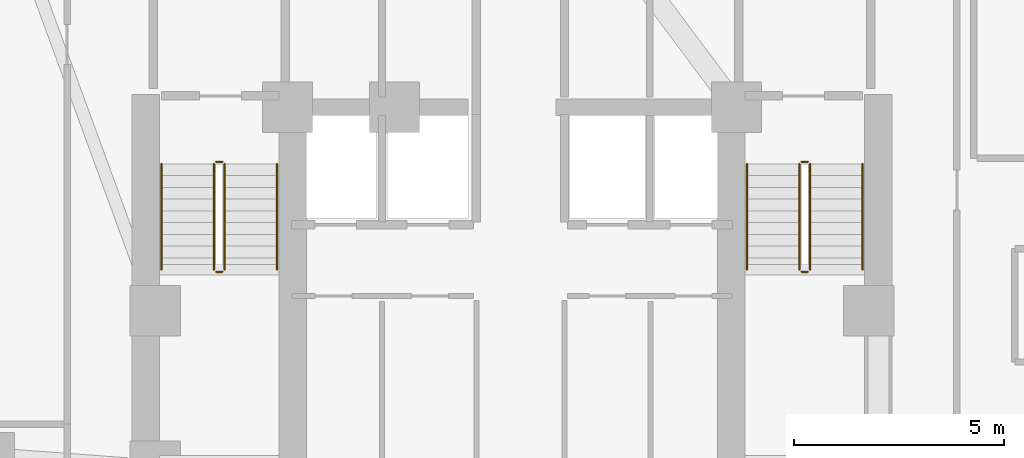
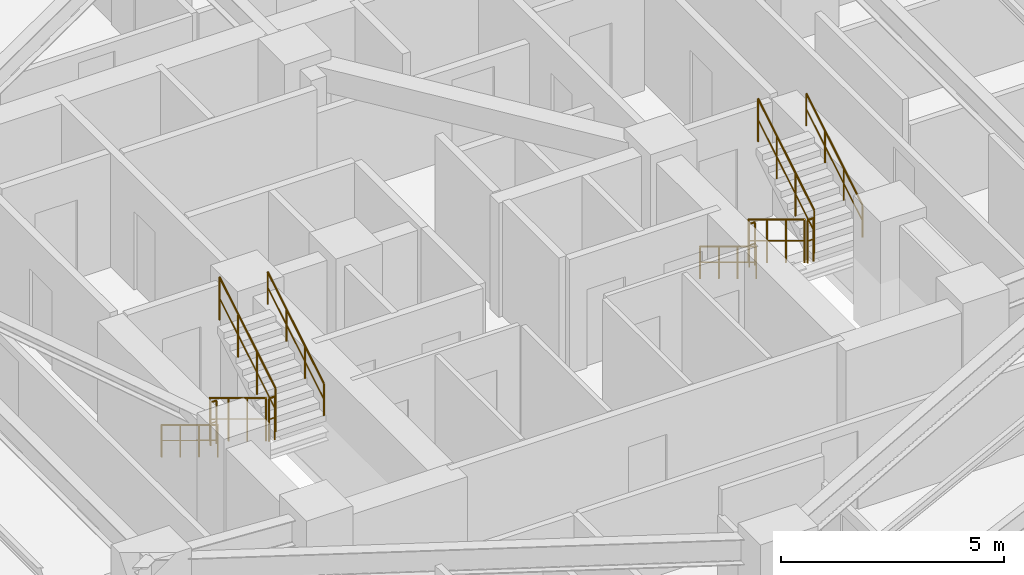
# One storey, part 13 of 13: 12 railings.
"""IFC4 building model written with IfcOpenShell, lengths in metres."""

from ifc_helpers import new_model, si_unit, direction, frame, origin, origin_2d, place, context, subcontext, project, spatial, circle, extrude, material, type_object, element, save


model = new_model("IFC4")

# Units and contexts
model_context = context("Model", 3, precision=1e-05, world=origin(), true_north=direction((0.0, 1.0)))
body_context = subcontext(model_context, "Body", "Model", "MODEL_VIEW")
ifc_project = project(units=[si_unit("LENGTHUNIT", "METRE"), si_unit("AREAUNIT", "SQUARE_METRE"), si_unit("VOLUMEUNIT", "CUBIC_METRE"), si_unit("PLANEANGLEUNIT", "RADIAN"), si_unit("MASSUNIT", "GRAM", prefix="KILO")], contexts=[model_context])

# Site, building, storey
site_placement = place(None, origin())
site = spatial("IfcSite", under=ifc_project, at=site_placement, CompositionType="ELEMENT")
building_placement = place(site_placement, origin())
building = spatial("IfcBuilding", under=site, at=building_placement, Name="Miruveldt Soraemaru", CompositionType="ELEMENT")
storey_placement = place(building_placement, frame((0.0, 0.0, 46.199951171875)))
storey = spatial("IfcBuildingStorey", under=building, at=storey_placement, Name="L12", CompositionType="ELEMENT", Elevation=46.199951171875)

# Railings
ifc_material = material(Name="Steel S355 (355 MPa)", Category="steel")
railing_type_1 = type_object("IfcRailingType", Name="RAIL-HR-900", PredefinedType="HANDRAIL", material=ifc_material)
railing_1_placement = place(storey_placement, frame((35.64990234375, 42.699951171875, 0.170166015625)))
element("IfcRailing", 1, at=railing_1_placement, inside=storey, type_object=railing_type_1, Name="L12 ST-1 stair handrail 1", PredefinedType="HANDRAIL", context=body_context, shape_type="SweptSolid", body=[
    extrude(circle(Radius=0.02392578125, at=origin_2d()), frame((0.0, 0.0, 0.8759765625), z_axis=(0.0, -0.854821627497, 0.518921945155), x_axis=(1.0, 0.0, 0.0)), (0.0, 0.0, 1.0), 2.947998046875),
    extrude(circle(Radius=0.01611328125, at=origin_2d()), frame((0.0, 0.0, 0.449951171875), z_axis=(0.0, -0.854821627497, 0.518921945155), x_axis=(1.0, 0.0, 0.0)), (0.0, 0.0, 1.0), 2.947998046875),
    extrude(circle(Radius=0.02099609375, at=origin_2d()), origin(), (0.0, 0.0, 1.0), 0.851806640625),
    extrude(circle(Radius=0.02099609375, at=origin_2d()), frame((0.0, -0.840087890625, 0.510009765625)), (0.0, 0.0, 1.0), 0.851806640625),
    extrude(circle(Radius=0.02099609375, at=origin_2d()), frame((0.0, -1.679931640625, 1.019775390625)), (0.0, 0.0, 1.0), 0.851806640625),
    extrude(circle(Radius=0.02099609375, at=origin_2d()), frame((0.0, -2.52001953125, 1.52978515625)), (0.0, 0.0, 1.0), 0.851806640625),
])
railing_2_placement = place(storey_placement, frame((38.39990234375, 40.179931640625, 1.8701171875)))
element("IfcRailing", 2, at=railing_2_placement, inside=storey, type_object=railing_type_1, Name="L12 ST-1 stair handrail 2", PredefinedType="HANDRAIL", context=body_context, shape_type="SweptSolid", body=[
    extrude(circle(Radius=0.02392578125, at=origin_2d()), frame((0.0, 0.0, 0.8759765625), z_axis=(0.0, 0.85478489116, 0.518982456201), x_axis=(-1.0, 0.0, 0.0)), (0.0, 0.0, 1.0), 2.9482421875),
    extrude(circle(Radius=0.01611328125, at=origin_2d()), frame((0.0, 0.0, 0.449951171875), z_axis=(0.0, 0.85478489116, 0.518982456201), x_axis=(-1.0, 0.0, 0.0)), (0.0, 0.0, 1.0), 2.9482421875),
    extrude(circle(Radius=0.02099609375, at=origin_2d()), origin(), (0.0, 0.0, 1.0), 0.851806640625),
    extrude(circle(Radius=0.02099609375, at=origin_2d()), frame((0.0, 0.840087890625, 0.510009765625)), (0.0, 0.0, 1.0), 0.851806640625),
    extrude(circle(Radius=0.02099609375, at=origin_2d()), frame((0.0, 1.679931640625, 1.02001953125)), (0.0, 0.0, 1.0), 0.851806640625),
    extrude(circle(Radius=0.02099609375, at=origin_2d()), frame((0.0, 2.52001953125, 1.530029296875)), (0.0, 0.0, 1.0), 0.851806640625),
])
railing_3_placement = place(storey_placement, frame((49.60009765625, 42.699951171875, 0.170166015625)))
element("IfcRailing", 3, at=railing_3_placement, inside=storey, type_object=railing_type_1, Name="L12 ST-2 stair handrail 1", PredefinedType="HANDRAIL", context=body_context, shape_type="SweptSolid", body=[
    extrude(circle(Radius=0.02392578125, at=origin_2d()), frame((0.0, 0.0, 0.8759765625), z_axis=(0.0, -0.854821627497, 0.518921945155), x_axis=(1.0, 0.0, 0.0)), (0.0, 0.0, 1.0), 2.947998046875),
    extrude(circle(Radius=0.01611328125, at=origin_2d()), frame((0.0, 0.0, 0.449951171875), z_axis=(0.0, -0.854821627497, 0.518921945155), x_axis=(1.0, 0.0, 0.0)), (0.0, 0.0, 1.0), 2.947998046875),
    extrude(circle(Radius=0.02099609375, at=origin_2d()), origin(), (0.0, 0.0, 1.0), 0.851806640625),
    extrude(circle(Radius=0.02099609375, at=origin_2d()), frame((0.0, -0.840087890625, 0.510009765625)), (0.0, 0.0, 1.0), 0.851806640625),
    extrude(circle(Radius=0.02099609375, at=origin_2d()), frame((0.0, -1.679931640625, 1.019775390625)), (0.0, 0.0, 1.0), 0.851806640625),
    extrude(circle(Radius=0.02099609375, at=origin_2d()), frame((0.0, -2.52001953125, 1.52978515625)), (0.0, 0.0, 1.0), 0.851806640625),
])
railing_4_placement = place(storey_placement, frame((52.35009765625, 40.179931640625, 1.8701171875)))
element("IfcRailing", 4, at=railing_4_placement, inside=storey, type_object=railing_type_1, Name="L12 ST-2 stair handrail 2", PredefinedType="HANDRAIL", context=body_context, shape_type="SweptSolid", body=[
    extrude(circle(Radius=0.02392578125, at=origin_2d()), frame((0.0, 0.0, 0.8759765625), z_axis=(0.0, 0.85478489116, 0.518982456201), x_axis=(-1.0, 0.0, 0.0)), (0.0, 0.0, 1.0), 2.9482421875),
    extrude(circle(Radius=0.01611328125, at=origin_2d()), frame((0.0, 0.0, 0.449951171875), z_axis=(0.0, 0.85478489116, 0.518982456201), x_axis=(-1.0, 0.0, 0.0)), (0.0, 0.0, 1.0), 2.9482421875),
    extrude(circle(Radius=0.02099609375, at=origin_2d()), origin(), (0.0, 0.0, 1.0), 0.851806640625),
    extrude(circle(Radius=0.02099609375, at=origin_2d()), frame((0.0, 0.840087890625, 0.510009765625)), (0.0, 0.0, 1.0), 0.851806640625),
    extrude(circle(Radius=0.02099609375, at=origin_2d()), frame((0.0, 1.679931640625, 1.02001953125)), (0.0, 0.0, 1.0), 0.851806640625),
    extrude(circle(Radius=0.02099609375, at=origin_2d()), frame((0.0, 2.52001953125, 1.530029296875)), (0.0, 0.0, 1.0), 0.851806640625),
])
railing_type_2 = type_object("IfcRailingType", Name="RAIL-STGUARD-1200", PredefinedType="GUARDRAIL", material=ifc_material)
railing_5_placement = place(storey_placement, frame((36.89990234375, 42.699951171875, 0.170166015625)))
element("IfcRailing", 5, at=railing_5_placement, inside=storey, type_object=railing_type_2, Name="L12 ST-1 stair guard 1", PredefinedType="GUARDRAIL", context=body_context, shape_type="SweptSolid", body=[
    extrude(circle(Radius=0.02392578125, at=origin_2d()), frame((0.0, 0.0, 1.17578125), z_axis=(0.0, -0.854821627497, 0.518921945155), x_axis=(1.0, 0.0, 0.0)), (0.0, 0.0, 1.0), 2.947998046875),
    extrude(circle(Radius=0.01611328125, at=origin_2d()), frame((0.0, 0.0, 0.60009765625), z_axis=(0.0, -0.854821627497, 0.518921945155), x_axis=(1.0, 0.0, 0.0)), (0.0, 0.0, 1.0), 2.947998046875),
    extrude(circle(Radius=0.02099609375, at=origin_2d()), origin(), (0.0, 0.0, 1.0), 1.15185546875),
    extrude(circle(Radius=0.02099609375, at=origin_2d()), frame((0.0, -0.840087890625, 0.510009765625)), (0.0, 0.0, 1.0), 1.15185546875),
    extrude(circle(Radius=0.02099609375, at=origin_2d()), frame((0.0, -1.679931640625, 1.019775390625)), (0.0, 0.0, 1.0), 1.15185546875),
    extrude(circle(Radius=0.02099609375, at=origin_2d()), frame((0.0, -2.52001953125, 1.52978515625)), (0.0, 0.0, 1.0), 1.15185546875),
])
railing_6_placement = place(storey_placement, frame((36.949951171875, 40.1298828125, 1.699951171875)))
element("IfcRailing", 6, at=railing_6_placement, inside=storey, type_object=railing_type_2, Name="L12 ST-1 stair guard 2", PredefinedType="GUARDRAIL", context=body_context, shape_type="SweptSolid", body=[
    extrude(circle(Radius=0.02392578125, at=origin_2d()), frame((0.0, 0.0, 1.17578125), z_axis=(1.0, 0.0, 0.0), x_axis=(0.0, 1.0, 0.0)), (0.0, 0.0, 1.0), 0.150146484375),
    extrude(circle(Radius=0.01611328125, at=origin_2d()), frame((0.0, 0.0, 0.60009765625), z_axis=(1.0, 0.0, 0.0), x_axis=(0.0, 1.0, 0.0)), (0.0, 0.0, 1.0), 0.150146484375),
    extrude(circle(Radius=0.02099609375, at=origin_2d()), origin(), (0.0, 0.0, 1.0), 1.15185546875),
    extrude(circle(Radius=0.02099609375, at=origin_2d()), frame((0.150146484375, 0.0, 0.0)), (0.0, 0.0, 1.0), 1.15185546875),
])
railing_7_placement = place(storey_placement, frame((37.14990234375, 40.179931640625, 1.8701171875)))
element("IfcRailing", 7, at=railing_7_placement, inside=storey, type_object=railing_type_2, Name="L12 ST-1 stair guard 3", PredefinedType="GUARDRAIL", context=body_context, shape_type="SweptSolid", body=[
    extrude(circle(Radius=0.02392578125, at=origin_2d()), frame((0.0, 0.0, 1.17578125), z_axis=(0.0, 0.85478489116, 0.518982456201), x_axis=(-1.0, 0.0, 0.0)), (0.0, 0.0, 1.0), 2.9482421875),
    extrude(circle(Radius=0.01611328125, at=origin_2d()), frame((0.0, 0.0, 0.60009765625), z_axis=(0.0, 0.85478489116, 0.518982456201), x_axis=(-1.0, 0.0, 0.0)), (0.0, 0.0, 1.0), 2.9482421875),
    extrude(circle(Radius=0.02099609375, at=origin_2d()), origin(), (0.0, 0.0, 1.0), 1.15185546875),
    extrude(circle(Radius=0.02099609375, at=origin_2d()), frame((0.0, 0.840087890625, 0.510009765625)), (0.0, 0.0, 1.0), 1.15185546875),
    extrude(circle(Radius=0.02099609375, at=origin_2d()), frame((0.0, 1.679931640625, 1.02001953125)), (0.0, 0.0, 1.0), 1.15185546875),
    extrude(circle(Radius=0.02099609375, at=origin_2d()), frame((0.0, 2.52001953125, 1.530029296875)), (0.0, 0.0, 1.0), 1.15185546875),
])
railing_8_placement = place(storey_placement, frame((36.949951171875, 42.75, 0.0)))
element("IfcRailing", 8, at=railing_8_placement, inside=storey, type_object=railing_type_2, Name="L12 ST-1 stair guard 4", PredefinedType="GUARDRAIL", context=body_context, shape_type="SweptSolid", body=[
    extrude(circle(Radius=0.02392578125, at=origin_2d()), frame((0.0, 0.0, 1.17578125), z_axis=(1.0, 0.0, 0.0), x_axis=(0.0, 1.0, 0.0)), (0.0, 0.0, 1.0), 0.150146484375),
    extrude(circle(Radius=0.01611328125, at=origin_2d()), frame((0.0, 0.0, 0.60009765625), z_axis=(1.0, 0.0, 0.0), x_axis=(0.0, 1.0, 0.0)), (0.0, 0.0, 1.0), 0.150146484375),
    extrude(circle(Radius=0.02099609375, at=origin_2d()), origin(), (0.0, 0.0, 1.0), 1.15185546875),
    extrude(circle(Radius=0.02099609375, at=origin_2d()), frame((0.150146484375, 0.0, 0.0)), (0.0, 0.0, 1.0), 1.15185546875),
])
railing_9_placement = place(storey_placement, frame((50.85009765625, 42.699951171875, 0.170166015625)))
element("IfcRailing", 9, at=railing_9_placement, inside=storey, type_object=railing_type_2, Name="L12 ST-2 stair guard 1", PredefinedType="GUARDRAIL", context=body_context, shape_type="SweptSolid", body=[
    extrude(circle(Radius=0.02392578125, at=origin_2d()), frame((0.0, 0.0, 1.17578125), z_axis=(0.0, -0.854821627497, 0.518921945155), x_axis=(1.0, 0.0, 0.0)), (0.0, 0.0, 1.0), 2.947998046875),
    extrude(circle(Radius=0.01611328125, at=origin_2d()), frame((0.0, 0.0, 0.60009765625), z_axis=(0.0, -0.854821627497, 0.518921945155), x_axis=(1.0, 0.0, 0.0)), (0.0, 0.0, 1.0), 2.947998046875),
    extrude(circle(Radius=0.02099609375, at=origin_2d()), origin(), (0.0, 0.0, 1.0), 1.15185546875),
    extrude(circle(Radius=0.02099609375, at=origin_2d()), frame((0.0, -0.840087890625, 0.510009765625)), (0.0, 0.0, 1.0), 1.15185546875),
    extrude(circle(Radius=0.02099609375, at=origin_2d()), frame((0.0, -1.679931640625, 1.019775390625)), (0.0, 0.0, 1.0), 1.15185546875),
    extrude(circle(Radius=0.02099609375, at=origin_2d()), frame((0.0, -2.52001953125, 1.52978515625)), (0.0, 0.0, 1.0), 1.15185546875),
])
railing_10_placement = place(storey_placement, frame((50.89990234375, 40.1298828125, 1.699951171875)))
element("IfcRailing", 10, at=railing_10_placement, inside=storey, type_object=railing_type_2, Name="L12 ST-2 stair guard 2", PredefinedType="GUARDRAIL", context=body_context, shape_type="SweptSolid", body=[
    extrude(circle(Radius=0.02392578125, at=origin_2d()), frame((0.0, 0.0, 1.17578125), z_axis=(1.0, 0.0, 0.0), x_axis=(0.0, 1.0, 0.0)), (0.0, 0.0, 1.0), 0.150146484375),
    extrude(circle(Radius=0.01611328125, at=origin_2d()), frame((0.0, 0.0, 0.60009765625), z_axis=(1.0, 0.0, 0.0), x_axis=(0.0, 1.0, 0.0)), (0.0, 0.0, 1.0), 0.150146484375),
    extrude(circle(Radius=0.02099609375, at=origin_2d()), origin(), (0.0, 0.0, 1.0), 1.15185546875),
    extrude(circle(Radius=0.02099609375, at=origin_2d()), frame((0.150146484375, 0.0, 0.0)), (0.0, 0.0, 1.0), 1.15185546875),
])
railing_11_placement = place(storey_placement, frame((51.10009765625, 40.179931640625, 1.8701171875)))
element("IfcRailing", 11, at=railing_11_placement, inside=storey, type_object=railing_type_2, Name="L12 ST-2 stair guard 3", PredefinedType="GUARDRAIL", context=body_context, shape_type="SweptSolid", body=[
    extrude(circle(Radius=0.02392578125, at=origin_2d()), frame((0.0, 0.0, 1.17578125), z_axis=(0.0, 0.85478489116, 0.518982456201), x_axis=(-1.0, 0.0, 0.0)), (0.0, 0.0, 1.0), 2.9482421875),
    extrude(circle(Radius=0.01611328125, at=origin_2d()), frame((0.0, 0.0, 0.60009765625), z_axis=(0.0, 0.85478489116, 0.518982456201), x_axis=(-1.0, 0.0, 0.0)), (0.0, 0.0, 1.0), 2.9482421875),
    extrude(circle(Radius=0.02099609375, at=origin_2d()), origin(), (0.0, 0.0, 1.0), 1.15185546875),
    extrude(circle(Radius=0.02099609375, at=origin_2d()), frame((0.0, 0.840087890625, 0.510009765625)), (0.0, 0.0, 1.0), 1.15185546875),
    extrude(circle(Radius=0.02099609375, at=origin_2d()), frame((0.0, 1.679931640625, 1.02001953125)), (0.0, 0.0, 1.0), 1.15185546875),
    extrude(circle(Radius=0.02099609375, at=origin_2d()), frame((0.0, 2.52001953125, 1.530029296875)), (0.0, 0.0, 1.0), 1.15185546875),
])
railing_12_placement = place(storey_placement, frame((50.89990234375, 42.75, 0.0)))
element("IfcRailing", 12, at=railing_12_placement, inside=storey, type_object=railing_type_2, Name="L12 ST-2 stair guard 4", PredefinedType="GUARDRAIL", context=body_context, shape_type="SweptSolid", body=[
    extrude(circle(Radius=0.02392578125, at=origin_2d()), frame((0.0, 0.0, 1.17578125), z_axis=(1.0, 0.0, 0.0), x_axis=(0.0, 1.0, 0.0)), (0.0, 0.0, 1.0), 0.150146484375),
    extrude(circle(Radius=0.01611328125, at=origin_2d()), frame((0.0, 0.0, 0.60009765625), z_axis=(1.0, 0.0, 0.0), x_axis=(0.0, 1.0, 0.0)), (0.0, 0.0, 1.0), 0.150146484375),
    extrude(circle(Radius=0.02099609375, at=origin_2d()), origin(), (0.0, 0.0, 1.0), 1.15185546875),
    extrude(circle(Radius=0.02099609375, at=origin_2d()), frame((0.150146484375, 0.0, 0.0)), (0.0, 0.0, 1.0), 1.15185546875),
])

save(model, "model.ifc")
